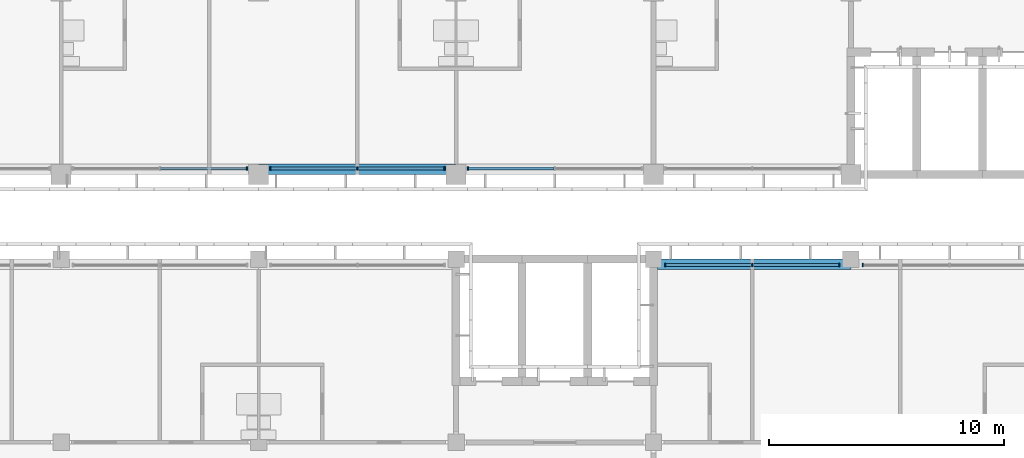
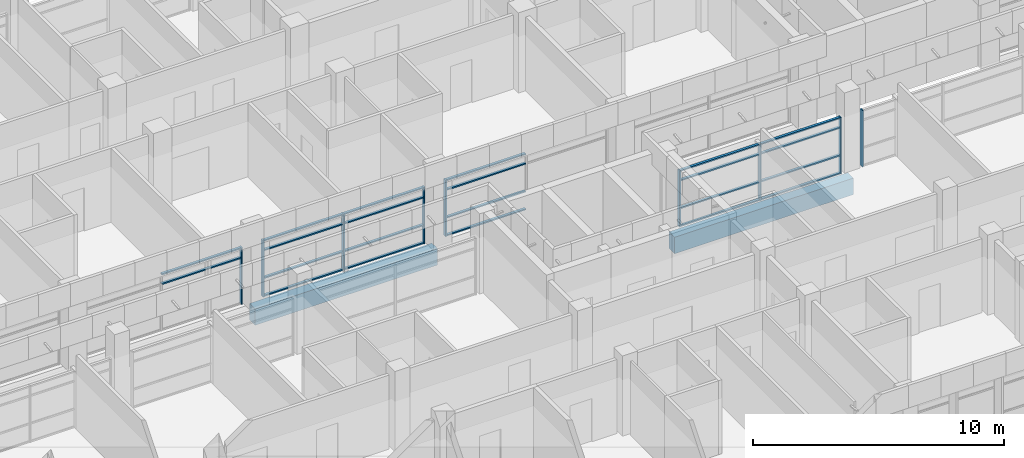
# One storey, part 11 of 74: 31 members, 2 beams, 5 elements without a shape of their own.
"""IFC4 building model written with IfcOpenShell, lengths in metres."""

from ifc_helpers import new_model, si_unit, direction, frame, origin, origin_2d, place, context, subcontext, project, spatial, rectangle, extrude, material, material_profile, profile_set, type_object, element, aggregate, save


model = new_model("IFC4")

# Units and contexts
model_context = context("Model", 3, precision=1e-05, world=origin(), true_north=direction((0.0, 1.0)))
body_context = subcontext(model_context, "Body", "Model", "MODEL_VIEW")
ifc_project = project(units=[si_unit("LENGTHUNIT", "METRE"), si_unit("AREAUNIT", "SQUARE_METRE"), si_unit("VOLUMEUNIT", "CUBIC_METRE"), si_unit("PLANEANGLEUNIT", "RADIAN"), si_unit("MASSUNIT", "GRAM", prefix="KILO")], contexts=[model_context])

# Site, building, storey
site_placement = place(None, origin())
site = spatial("IfcSite", under=ifc_project, at=site_placement, CompositionType="ELEMENT")
building_placement = place(site_placement, origin())
building = spatial("IfcBuilding", under=site, at=building_placement, Name="Bougainvillea Quay General Hospital", CompositionType="ELEMENT")
storey_placement = place(building_placement, frame((0.0, 0.0, 21.0)))
storey = spatial("IfcBuildingStorey", under=building, at=storey_placement, Name="L04", CompositionType="ELEMENT", Elevation=21.0)

# Curtain wall, member
ifc_material_1 = material(Name="Aluminium curtain wall system, powder-coated glazed", Category="aluminium")
curtain_wall_type = type_object("IfcCurtainWallType", Name="Unitised curtain wall CW-3730", PredefinedType="NOTDEFINED", material=ifc_material_1)
curtain_wall_1_placement = place(storey_placement, origin())
curtain_wall_1 = element("IfcCurtainWall", 1, at=curtain_wall_1_placement, inside=storey, type_object=curtain_wall_type, Name="CW-4200 05", PredefinedType="NOTDEFINED")
ifc_material_2 = material(Name="Aluminium mullion, powder-coated charcoal", Category="aluminium")
ifc_material_profile_1 = material_profile(ifc_material_2, rectangle(XDim=0.159912109375, YDim=0.06005859375, at=origin_2d()))
ifc_profile_set_1 = profile_set([ifc_material_profile_1], Name="Aluminium mullion, powder-coated charcoal")
member_type_1 = type_object("IfcMemberType", Name="Curtain wall mullion 160x60", PredefinedType="MULLION", material=ifc_profile_set_1)
member_1_placement = place(storey_placement, frame((125.5, 140.64990234375, 0.0), z_axis=(0.0, 0.0, 1.0), x_axis=(0.0, 1.0, 0.0)))
member_1 = element("IfcMember", 2, at=member_1_placement, type_object=member_type_1, Name="CW-4200 mullion 3", PredefinedType="MULLION", context=body_context, shape_type="SweptSolid", body=[
    extrude(rectangle(XDim=0.159912109375, YDim=0.06005859375, at=origin_2d()), origin(), (0.0, 0.0, 1.0), 2.75),
])

# Curtain wall, members
curtain_wall_2_placement = place(storey_placement, origin())
curtain_wall_2 = element("IfcCurtainWall", 3, at=curtain_wall_2_placement, inside=storey, type_object=curtain_wall_type, Name="CW-4200 06", PredefinedType="NOTDEFINED")
member_2_placement = place(storey_placement, frame((126.5, 140.64990234375, 0.0), z_axis=(0.0, 0.0, 1.0), x_axis=(0.0, 1.0, 0.0)))
member_2 = element("IfcMember", 4, at=member_2_placement, type_object=member_type_1, Name="CW-4200 mullion 1", PredefinedType="MULLION", context=body_context, shape_type="SweptSolid", body=[
    extrude(rectangle(XDim=0.159912109375, YDim=0.06005859375, at=origin_2d()), origin(), (0.0, 0.0, 1.0), 2.75),
])
member_3_placement = place(storey_placement, frame((130.199951171875, 140.64990234375, 0.0), z_axis=(0.0, 0.0, 1.0), x_axis=(0.0, 1.0, 0.0)))
member_3 = element("IfcMember", 5, at=member_3_placement, type_object=member_type_1, Name="CW-4200 mullion 2", PredefinedType="MULLION", context=body_context, shape_type="SweptSolid", body=[
    extrude(rectangle(XDim=0.159912109375, YDim=0.06005859375, at=origin_2d()), origin(), (0.0, 0.0, 1.0), 2.75),
])
member_4_placement = place(storey_placement, frame((133.89990234375, 140.64990234375, 0.0), z_axis=(0.0, 0.0, 1.0), x_axis=(0.0, 1.0, 0.0)))
member_4 = element("IfcMember", 6, at=member_4_placement, type_object=member_type_1, Name="CW-4200 mullion 3", PredefinedType="MULLION", context=body_context, shape_type="SweptSolid", body=[
    extrude(rectangle(XDim=0.159912109375, YDim=0.06005859375, at=origin_2d()), origin(), (0.0, 0.0, 1.0), 2.75),
])

# Curtain wall, member
curtain_wall_3_placement = place(storey_placement, origin())
curtain_wall_3 = element("IfcCurtainWall", 7, at=curtain_wall_3_placement, inside=storey, type_object=curtain_wall_type, Name="CW-4200 07", PredefinedType="NOTDEFINED")
member_5_placement = place(storey_placement, frame((134.89990234375, 140.64990234375, 0.0), z_axis=(0.0, 0.0, 1.0), x_axis=(0.0, 1.0, 0.0)))
member_5 = element("IfcMember", 8, at=member_5_placement, type_object=member_type_1, Name="CW-4200 mullion 1", PredefinedType="MULLION", context=body_context, shape_type="SweptSolid", body=[
    extrude(rectangle(XDim=0.159912109375, YDim=0.06005859375, at=origin_2d()), origin(), (0.0, 0.0, 1.0), 2.75),
])

curtain_wall_4_placement = place(storey_placement, origin())
curtain_wall_4 = element("IfcCurtainWall", 9, at=curtain_wall_4_placement, inside=storey, type_object=curtain_wall_type, Name="CW-4200 01", PredefinedType="NOTDEFINED")
member_6_placement = place(storey_placement, frame((151.699951171875, 136.550048828125, 0.0), z_axis=(0.0, 0.0, 1.0), x_axis=(0.0, -1.0, 0.0)))
member_6 = element("IfcMember", 10, at=member_6_placement, type_object=member_type_1, Name="CW-4200 mullion 3", PredefinedType="MULLION", context=body_context, shape_type="SweptSolid", body=[
    extrude(rectangle(XDim=0.159912109375, YDim=0.06005859375, at=origin_2d()), origin(), (0.0, 0.0, 1.0), 2.75),
])
aggregate(curtain_wall_4, [member_6])

# Curtain wall, members
curtain_wall_5_placement = place(storey_placement, origin())
curtain_wall_5 = element("IfcCurtainWall", 11, at=curtain_wall_5_placement, inside=storey, type_object=curtain_wall_type, Name="CW-4200 02", PredefinedType="NOTDEFINED")
member_7_placement = place(storey_placement, frame((150.699951171875, 136.550048828125, 0.0), z_axis=(0.0, 0.0, 1.0), x_axis=(0.0, -1.0, 0.0)))
member_7 = element("IfcMember", 12, at=member_7_placement, type_object=member_type_1, Name="CW-4200 mullion 1", PredefinedType="MULLION", context=body_context, shape_type="SweptSolid", body=[
    extrude(rectangle(XDim=0.159912109375, YDim=0.06005859375, at=origin_2d()), origin(), (0.0, 0.0, 1.0), 2.75),
])
member_8_placement = place(storey_placement, frame((147.0, 136.550048828125, 0.0), z_axis=(0.0, 0.0, 1.0), x_axis=(0.0, -1.0, 0.0)))
member_8 = element("IfcMember", 13, at=member_8_placement, type_object=member_type_1, Name="CW-4200 mullion 2", PredefinedType="MULLION", context=body_context, shape_type="SweptSolid", body=[
    extrude(rectangle(XDim=0.159912109375, YDim=0.06005859375, at=origin_2d()), origin(), (0.0, 0.0, 1.0), 2.75),
])
member_9_placement = place(storey_placement, frame((143.300048828125, 136.550048828125, 0.0), z_axis=(0.0, 0.0, 1.0), x_axis=(0.0, -1.0, 0.0)))
member_9 = element("IfcMember", 14, at=member_9_placement, type_object=member_type_1, Name="CW-4200 mullion 3", PredefinedType="MULLION", context=body_context, shape_type="SweptSolid", body=[
    extrude(rectangle(XDim=0.159912109375, YDim=0.06005859375, at=origin_2d()), origin(), (0.0, 0.0, 1.0), 2.75),
])

# Member
ifc_material_3 = material(Name="Aluminium transom, powder-coated charcoal", Category="aluminium")
ifc_material_profile_2 = material_profile(ifc_material_3, rectangle(XDim=0.1201171875, YDim=0.06005859375, at=origin_2d()))
ifc_profile_set_2 = profile_set([ifc_material_profile_2], Name="Aluminium transom, powder-coated charcoal")
member_type_2 = type_object("IfcMemberType", Name="Curtain wall transom 120x60", PredefinedType="USERDEFINED", material=ifc_profile_set_2)
member_10_placement = place(storey_placement, frame((121.830078125, 140.64990234375, 2.25), z_axis=(1.0, 0.0, 0.0), x_axis=(0.0, 1.0, 0.0)))
member_10 = element("IfcMember", 15, at=member_10_placement, type_object=member_type_2, Name="CW-4200 transom 2.3", ObjectType="TRANSOM", PredefinedType="USERDEFINED", context=body_context, shape_type="SweptSolid", body=[
    extrude(rectangle(XDim=0.1201171875, YDim=0.06005859375, at=origin_2d()), origin(), (0.0, 0.0, 1.0), 3.639892578125),
])

member_11_placement = place(storey_placement, frame((121.830078125, 140.64990234375, 2.719970703125), z_axis=(1.0, 0.0, 0.0), x_axis=(0.0, 1.0, 0.0)))
member_11 = element("IfcMember", 16, at=member_11_placement, type_object=member_type_2, Name="CW-4200 transom 2.4", ObjectType="TRANSOM", PredefinedType="USERDEFINED", context=body_context, shape_type="SweptSolid", body=[
    extrude(rectangle(XDim=0.1201171875, YDim=0.06005859375, at=origin_2d()), origin(), (0.0, 0.0, 1.0), 3.639892578125),
])

aggregate(curtain_wall_1, [member_1, member_10, member_11])

member_12_placement = place(storey_placement, frame((126.530029296875, 140.64990234375, 0.030029296875), z_axis=(1.0, 0.0, 0.0), x_axis=(0.0, 1.0, 0.0)))
member_12 = element("IfcMember", 17, at=member_12_placement, type_object=member_type_2, Name="CW-4200 transom 1.1", ObjectType="TRANSOM", PredefinedType="USERDEFINED", context=body_context, shape_type="SweptSolid", body=[
    extrude(rectangle(XDim=0.1201171875, YDim=0.06005859375, at=origin_2d()), origin(), (0.0, 0.0, 1.0), 3.639892578125),
])

member_13_placement = place(storey_placement, frame((126.530029296875, 140.64990234375, 0.89990234375), z_axis=(1.0, 0.0, 0.0), x_axis=(0.0, 1.0, 0.0)))
member_13 = element("IfcMember", 18, at=member_13_placement, type_object=member_type_2, Name="CW-4200 transom 1.2", ObjectType="TRANSOM", PredefinedType="USERDEFINED", context=body_context, shape_type="SweptSolid", body=[
    extrude(rectangle(XDim=0.1201171875, YDim=0.06005859375, at=origin_2d()), origin(), (0.0, 0.0, 1.0), 3.639892578125),
])

member_14_placement = place(storey_placement, frame((126.530029296875, 140.64990234375, 2.25), z_axis=(1.0, 0.0, 0.0), x_axis=(0.0, 1.0, 0.0)))
member_14 = element("IfcMember", 19, at=member_14_placement, type_object=member_type_2, Name="CW-4200 transom 1.3", ObjectType="TRANSOM", PredefinedType="USERDEFINED", context=body_context, shape_type="SweptSolid", body=[
    extrude(rectangle(XDim=0.1201171875, YDim=0.06005859375, at=origin_2d()), origin(), (0.0, 0.0, 1.0), 3.639892578125),
])

member_15_placement = place(storey_placement, frame((126.530029296875, 140.64990234375, 2.719970703125), z_axis=(1.0, 0.0, 0.0), x_axis=(0.0, 1.0, 0.0)))
member_15 = element("IfcMember", 20, at=member_15_placement, type_object=member_type_2, Name="CW-4200 transom 1.4", ObjectType="TRANSOM", PredefinedType="USERDEFINED", context=body_context, shape_type="SweptSolid", body=[
    extrude(rectangle(XDim=0.1201171875, YDim=0.06005859375, at=origin_2d()), origin(), (0.0, 0.0, 1.0), 3.639892578125),
])

member_16_placement = place(storey_placement, frame((130.22998046875, 140.64990234375, 0.030029296875), z_axis=(1.0, 0.0, 0.0), x_axis=(0.0, 1.0, 0.0)))
member_16 = element("IfcMember", 21, at=member_16_placement, type_object=member_type_2, Name="CW-4200 transom 2.1", ObjectType="TRANSOM", PredefinedType="USERDEFINED", context=body_context, shape_type="SweptSolid", body=[
    extrude(rectangle(XDim=0.1201171875, YDim=0.06005859375, at=origin_2d()), origin(), (0.0, 0.0, 1.0), 3.64013671875),
])

member_17_placement = place(storey_placement, frame((130.22998046875, 140.64990234375, 0.89990234375), z_axis=(1.0, 0.0, 0.0), x_axis=(0.0, 1.0, 0.0)))
member_17 = element("IfcMember", 22, at=member_17_placement, type_object=member_type_2, Name="CW-4200 transom 2.2", ObjectType="TRANSOM", PredefinedType="USERDEFINED", context=body_context, shape_type="SweptSolid", body=[
    extrude(rectangle(XDim=0.1201171875, YDim=0.06005859375, at=origin_2d()), origin(), (0.0, 0.0, 1.0), 3.64013671875),
])

member_18_placement = place(storey_placement, frame((130.22998046875, 140.64990234375, 2.25), z_axis=(1.0, 0.0, 0.0), x_axis=(0.0, 1.0, 0.0)))
member_18 = element("IfcMember", 23, at=member_18_placement, type_object=member_type_2, Name="CW-4200 transom 2.3", ObjectType="TRANSOM", PredefinedType="USERDEFINED", context=body_context, shape_type="SweptSolid", body=[
    extrude(rectangle(XDim=0.1201171875, YDim=0.06005859375, at=origin_2d()), origin(), (0.0, 0.0, 1.0), 3.64013671875),
])

member_19_placement = place(storey_placement, frame((130.22998046875, 140.64990234375, 2.719970703125), z_axis=(1.0, 0.0, 0.0), x_axis=(0.0, 1.0, 0.0)))
member_19 = element("IfcMember", 24, at=member_19_placement, type_object=member_type_2, Name="CW-4200 transom 2.4", ObjectType="TRANSOM", PredefinedType="USERDEFINED", context=body_context, shape_type="SweptSolid", body=[
    extrude(rectangle(XDim=0.1201171875, YDim=0.06005859375, at=origin_2d()), origin(), (0.0, 0.0, 1.0), 3.64013671875),
])

aggregate(curtain_wall_2, [member_2, member_3, member_4, member_12, member_13, member_14, member_15, member_16, member_17, member_18, member_19])

member_20_placement = place(storey_placement, frame((134.929931640625, 140.64990234375, 0.030029296875), z_axis=(1.0, 0.0, 0.0), x_axis=(0.0, 1.0, 0.0)))
member_20 = element("IfcMember", 25, at=member_20_placement, type_object=member_type_2, Name="CW-4200 transom 1.1", ObjectType="TRANSOM", PredefinedType="USERDEFINED", context=body_context, shape_type="SweptSolid", body=[
    extrude(rectangle(XDim=0.1201171875, YDim=0.06005859375, at=origin_2d()), origin(), (0.0, 0.0, 1.0), 3.64013671875),
])

member_21_placement = place(storey_placement, frame((134.929931640625, 140.64990234375, 0.89990234375), z_axis=(1.0, 0.0, 0.0), x_axis=(0.0, 1.0, 0.0)))
member_21 = element("IfcMember", 26, at=member_21_placement, type_object=member_type_2, Name="CW-4200 transom 1.2", ObjectType="TRANSOM", PredefinedType="USERDEFINED", context=body_context, shape_type="SweptSolid", body=[
    extrude(rectangle(XDim=0.1201171875, YDim=0.06005859375, at=origin_2d()), origin(), (0.0, 0.0, 1.0), 3.64013671875),
])

member_22_placement = place(storey_placement, frame((134.929931640625, 140.64990234375, 2.25), z_axis=(1.0, 0.0, 0.0), x_axis=(0.0, 1.0, 0.0)))
member_22 = element("IfcMember", 27, at=member_22_placement, type_object=member_type_2, Name="CW-4200 transom 1.3", ObjectType="TRANSOM", PredefinedType="USERDEFINED", context=body_context, shape_type="SweptSolid", body=[
    extrude(rectangle(XDim=0.1201171875, YDim=0.06005859375, at=origin_2d()), origin(), (0.0, 0.0, 1.0), 3.64013671875),
])

member_23_placement = place(storey_placement, frame((134.929931640625, 140.64990234375, 2.719970703125), z_axis=(1.0, 0.0, 0.0), x_axis=(0.0, 1.0, 0.0)))
member_23 = element("IfcMember", 28, at=member_23_placement, type_object=member_type_2, Name="CW-4200 transom 1.4", ObjectType="TRANSOM", PredefinedType="USERDEFINED", context=body_context, shape_type="SweptSolid", body=[
    extrude(rectangle(XDim=0.1201171875, YDim=0.06005859375, at=origin_2d()), origin(), (0.0, 0.0, 1.0), 3.64013671875),
])

aggregate(curtain_wall_3, [member_5, member_20, member_21, member_22, member_23])

member_24_placement = place(storey_placement, frame((150.669921875, 136.550048828125, 0.030029296875), z_axis=(-1.0, 0.0, 0.0), x_axis=(0.0, -1.0, 0.0)))
member_24 = element("IfcMember", 29, at=member_24_placement, type_object=member_type_2, Name="CW-4200 transom 1.1", ObjectType="TRANSOM", PredefinedType="USERDEFINED", context=body_context, shape_type="SweptSolid", body=[
    extrude(rectangle(XDim=0.1201171875, YDim=0.06005859375, at=origin_2d()), origin(), (0.0, 0.0, 1.0), 3.639892578125),
])

member_25_placement = place(storey_placement, frame((150.669921875, 136.550048828125, 0.89990234375), z_axis=(-1.0, 0.0, 0.0), x_axis=(0.0, -1.0, 0.0)))
member_25 = element("IfcMember", 30, at=member_25_placement, type_object=member_type_2, Name="CW-4200 transom 1.2", ObjectType="TRANSOM", PredefinedType="USERDEFINED", context=body_context, shape_type="SweptSolid", body=[
    extrude(rectangle(XDim=0.1201171875, YDim=0.06005859375, at=origin_2d()), origin(), (0.0, 0.0, 1.0), 3.639892578125),
])

member_26_placement = place(storey_placement, frame((150.669921875, 136.550048828125, 2.25), z_axis=(-1.0, 0.0, 0.0), x_axis=(0.0, -1.0, 0.0)))
member_26 = element("IfcMember", 31, at=member_26_placement, type_object=member_type_2, Name="CW-4200 transom 1.3", ObjectType="TRANSOM", PredefinedType="USERDEFINED", context=body_context, shape_type="SweptSolid", body=[
    extrude(rectangle(XDim=0.1201171875, YDim=0.06005859375, at=origin_2d()), origin(), (0.0, 0.0, 1.0), 3.639892578125),
])

member_27_placement = place(storey_placement, frame((150.669921875, 136.550048828125, 2.719970703125), z_axis=(-1.0, 0.0, 0.0), x_axis=(0.0, -1.0, 0.0)))
member_27 = element("IfcMember", 32, at=member_27_placement, type_object=member_type_2, Name="CW-4200 transom 1.4", ObjectType="TRANSOM", PredefinedType="USERDEFINED", context=body_context, shape_type="SweptSolid", body=[
    extrude(rectangle(XDim=0.1201171875, YDim=0.06005859375, at=origin_2d()), origin(), (0.0, 0.0, 1.0), 3.639892578125),
])

member_28_placement = place(storey_placement, frame((146.969970703125, 136.550048828125, 0.030029296875), z_axis=(-1.0, 0.0, 0.0), x_axis=(0.0, -1.0, 0.0)))
member_28 = element("IfcMember", 33, at=member_28_placement, type_object=member_type_2, Name="CW-4200 transom 2.1", ObjectType="TRANSOM", PredefinedType="USERDEFINED", context=body_context, shape_type="SweptSolid", body=[
    extrude(rectangle(XDim=0.1201171875, YDim=0.06005859375, at=origin_2d()), origin(), (0.0, 0.0, 1.0), 3.639892578125),
])

member_29_placement = place(storey_placement, frame((146.969970703125, 136.550048828125, 0.89990234375), z_axis=(-1.0, 0.0, 0.0), x_axis=(0.0, -1.0, 0.0)))
member_29 = element("IfcMember", 34, at=member_29_placement, type_object=member_type_2, Name="CW-4200 transom 2.2", ObjectType="TRANSOM", PredefinedType="USERDEFINED", context=body_context, shape_type="SweptSolid", body=[
    extrude(rectangle(XDim=0.1201171875, YDim=0.06005859375, at=origin_2d()), origin(), (0.0, 0.0, 1.0), 3.639892578125),
])

member_30_placement = place(storey_placement, frame((146.969970703125, 136.550048828125, 2.25), z_axis=(-1.0, 0.0, 0.0), x_axis=(0.0, -1.0, 0.0)))
member_30 = element("IfcMember", 35, at=member_30_placement, type_object=member_type_2, Name="CW-4200 transom 2.3", ObjectType="TRANSOM", PredefinedType="USERDEFINED", context=body_context, shape_type="SweptSolid", body=[
    extrude(rectangle(XDim=0.1201171875, YDim=0.06005859375, at=origin_2d()), origin(), (0.0, 0.0, 1.0), 3.639892578125),
])

member_31_placement = place(storey_placement, frame((146.969970703125, 136.550048828125, 2.719970703125), z_axis=(-1.0, 0.0, 0.0), x_axis=(0.0, -1.0, 0.0)))
member_31 = element("IfcMember", 36, at=member_31_placement, type_object=member_type_2, Name="CW-4200 transom 2.4", ObjectType="TRANSOM", PredefinedType="USERDEFINED", context=body_context, shape_type="SweptSolid", body=[
    extrude(rectangle(XDim=0.1201171875, YDim=0.06005859375, at=origin_2d()), origin(), (0.0, 0.0, 1.0), 3.639892578125),
])

aggregate(curtain_wall_5, [member_7, member_8, member_9, member_24, member_25, member_26, member_27, member_28, member_29, member_30, member_31])

# Beams
ifc_material_4 = material(Name="Concrete C40", Category="concrete")
ifc_material_profile_3 = material_profile(ifc_material_4, rectangle(XDim=0.449951171875, YDim=0.800048828125, at=origin_2d()))
ifc_profile_set_3 = profile_set([ifc_material_profile_3], Name="Concrete C40")
beam_type = type_object("IfcBeamType", Name="RC BEAM 450x800 C40", PredefinedType="BEAM", material=ifc_profile_set_3)
beam_1_placement = place(storey_placement, frame((126.0, 140.625, -0.699951171875), z_axis=(1.0, 0.0, 0.0), x_axis=(0.0, 1.0, 0.0)))
element("IfcBeam", 37, at=beam_1_placement, inside=storey, type_object=beam_type, Name="Edge beam L04", PredefinedType="BEAM", context=body_context, shape_type="SweptSolid", body=[
    extrude(rectangle(XDim=0.449951171875, YDim=0.800048828125, at=origin_2d()), origin(), (0.0, 0.0, 1.0), 8.39990234375),
])
beam_2_placement = place(storey_placement, frame((151.199951171875, 136.574951171875, -0.699951171875), z_axis=(-1.0, 0.0, 0.0), x_axis=(0.0, -1.0, 0.0)))
element("IfcBeam", 38, at=beam_2_placement, inside=storey, type_object=beam_type, Name="Edge beam L04", PredefinedType="BEAM", context=body_context, shape_type="SweptSolid", body=[
    extrude(rectangle(XDim=0.449951171875, YDim=0.800048828125, at=origin_2d()), origin(), (0.0, 0.0, 1.0), 8.224853515625),
])

save(model, "model.ifc")
